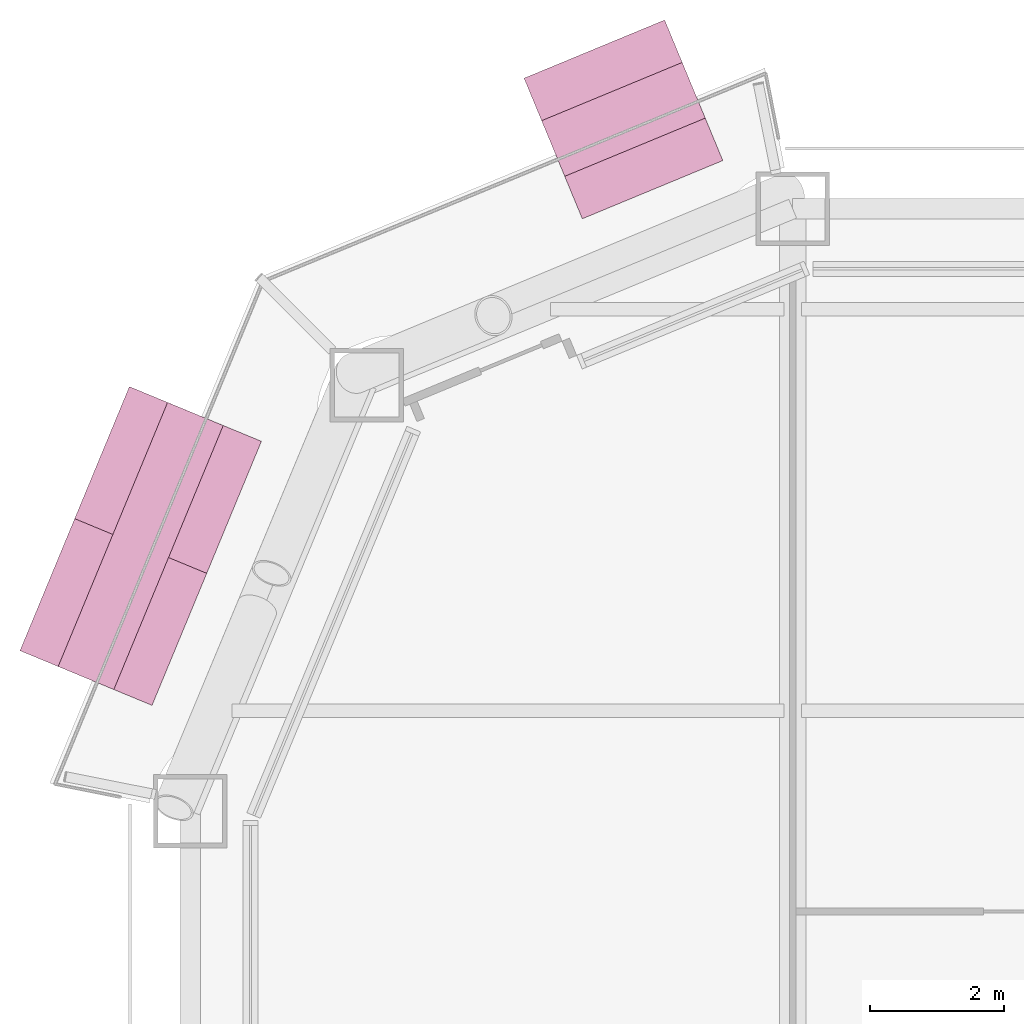
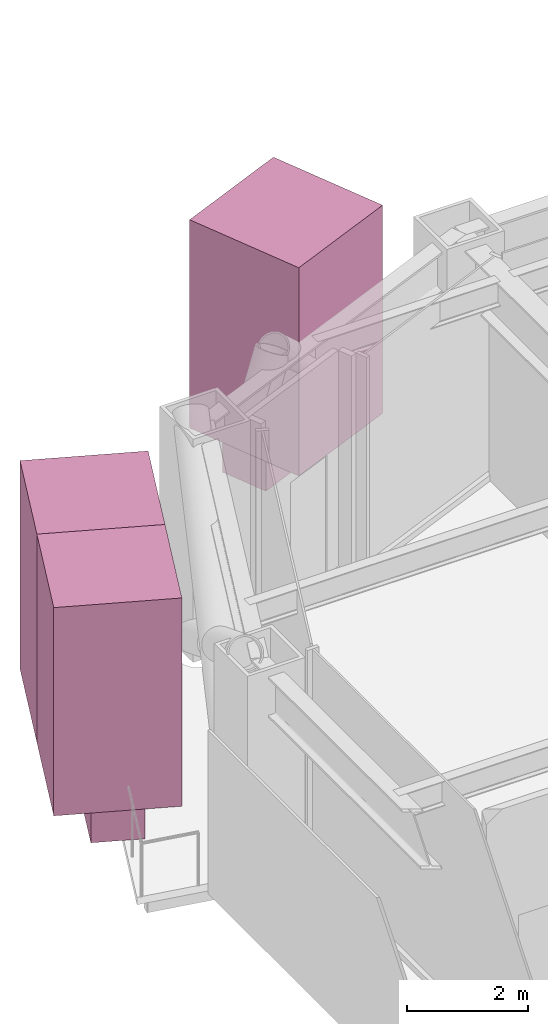
# One storey, part 29 of 29: 5 furnishings.
"""IFC4 building model written with IfcOpenShell, lengths in metres."""

import ifcopenshell
import ifcopenshell.guid

model = None  # the IFC model being written
_history = None  # IfcOwnerHistory: only IFC2X3 demands one
_inside = {}  # id of a spatial element -> (the spatial element, [elements in it])
_under = {}  # id of a project, library or spatial element -> (it, [spatial elements below it])
_declared = {}  # id of a project -> (the project, [libraries it declares])
_typed = {}  # id of a type object -> (the type object, [elements of that type])
_made_of = {}  # id of a material, layer set ... -> (it, [elements and type objects made of it])


def new_model(schema):
    """Start an empty IFC model of exactly this schema.

    Asked for "IFC4X3", IfcOpenShell would pick the latest addendum, in which some entities
    have other attributes; the version numbers below select the first issue.
    IFC2X3 requires an IfcOwnerHistory on every rooted entity: one is made here for all.
    """
    global model, _history
    if schema == "IFC4X3":
        model = ifcopenshell.file(schema_version=(4, 3, 0, 0))
    else:
        model = ifcopenshell.file(schema=schema)
    _inside.clear()
    _under.clear()
    _declared.clear()
    _typed.clear()
    _made_of.clear()
    _history = None
    if model.schema == "IFC2X3":
        org = make("IfcOrganization", Name="unknown")
        user = make(
            "IfcPersonAndOrganization",
            ThePerson=make("IfcPerson", FamilyName="unknown"),
            TheOrganization=org,
        )
        app = make(
            "IfcApplication",
            ApplicationDeveloper=org,
            Version="unknown",
            ApplicationFullName="unknown",
            ApplicationIdentifier="unknown",
        )
        _history = make(
            "IfcOwnerHistory",
            OwningUser=user,
            OwningApplication=app,
            ChangeAction="ADDED",
            CreationDate=0,
        )
    return model


def make(cls, **values):
    """One entity of the class cls with the attributes given. An attribute that is None is left unset."""
    return model.create_entity(
        cls, **{name: value for name, value in values.items() if value is not None}
    )


def rooted(cls, **values):
    """An entity with a GlobalId (a new one), such as an element, a storey or a relation."""
    return make(cls, GlobalId=ifcopenshell.guid.new(), OwnerHistory=_history, **values)


def si_unit(unit_type, name, prefix=None):
    """IfcSIUnit, for example si_unit("LENGTHUNIT", "METRE", prefix="MILLI")."""
    return make("IfcSIUnit", UnitType=unit_type, Prefix=prefix, Name=name)


def assignment(units):
    """IfcUnitAssignment: the units of a project."""
    return None if units is None else make("IfcUnitAssignment", Units=units)


def point(xyz):
    """IfcCartesianPoint."""
    return None if xyz is None else make("IfcCartesianPoint", Coordinates=xyz)


def direction(xyz):
    """IfcDirection."""
    return None if xyz is None else make("IfcDirection", DirectionRatios=xyz)


def frame(location, z_axis=None, x_axis=None):
    """IfcAxis2Placement3D, a coordinate frame: its origin and axes. An axis left out is left unset."""
    return make(
        "IfcAxis2Placement3D",
        Location=point(location),
        Axis=direction(z_axis),
        RefDirection=direction(x_axis),
    )


def frame_2d(location, x_axis=None):
    """IfcAxis2Placement2D, a coordinate frame in the plane: its origin and x axis."""
    return make(
        "IfcAxis2Placement2D", Location=point(location), RefDirection=direction(x_axis)
    )


def origin():
    """The frame at (0, 0, 0) with its axes left unset."""
    return frame((0.0, 0.0, 0.0))


def origin_2d():
    """The frame at (0, 0) in the plane with its x axis left unset."""
    return frame_2d((0.0, 0.0))


def place(relative_to, where):
    """IfcLocalPlacement: puts the frame where relative to a parent placement (None: the world)."""
    return make(
        "IfcLocalPlacement", PlacementRelTo=relative_to, RelativePlacement=where
    )


def context(
    kind, dimensions, precision=None, world=None, true_north=None, identifier=None
):
    """IfcGeometricRepresentationContext, for example the 3D "Model" context."""
    return make(
        "IfcGeometricRepresentationContext",
        ContextIdentifier=identifier,
        ContextType=kind,
        CoordinateSpaceDimension=dimensions,
        Precision=precision,
        WorldCoordinateSystem=world,
        TrueNorth=true_north,
    )


def subcontext(parent, identifier, kind, view, scale=None):
    """IfcGeometricRepresentationSubContext, for example "Body" below "Model"."""
    return make(
        "IfcGeometricRepresentationSubContext",
        ContextIdentifier=identifier,
        ContextType=kind,
        ParentContext=parent,
        TargetScale=scale,
        TargetView=view,
    )


def project(units=None, contexts=None):
    """IfcProject with its units and contexts."""
    return rooted(
        "IfcProject",
        Name="project",
        RepresentationContexts=contexts,
        UnitsInContext=assignment(units),
    )


def spatial(cls, under=None, at=None, **own):
    """A site, building, storey or space (cls), placed at a placement, below another one or the project."""
    s = rooted(cls, ObjectPlacement=at, **own)
    if under is not None:
        _under.setdefault(under.id(), (under, []))[1].append(s)
    return s


def profile(cls, at=None, kind="AREA", **sizes):
    """A parametric profile (cls). Its sizes go by their IFC names, for example OverallWidth=200.0."""
    return make(cls, ProfileType=kind, Position=at, **sizes)


def rectangle(**sizes):
    """IfcRectangleProfileDef."""
    return profile("IfcRectangleProfileDef", **sizes)


def extrude(swept, where, along, depth):
    """IfcExtrudedAreaSolid: the profile swept, set in the frame where, extruded along a direction by depth."""
    return make(
        "IfcExtrudedAreaSolid",
        SweptArea=swept,
        Position=where,
        ExtrudedDirection=direction(along),
        Depth=depth,
    )


def shape(context_of_items, identifier, shape_type, items):
    """IfcShapeRepresentation: the items that make up one representation, for example the "Body"."""
    return make(
        "IfcShapeRepresentation",
        ContextOfItems=context_of_items,
        RepresentationIdentifier=identifier,
        RepresentationType=shape_type,
        Items=items,
    )


def material(Name=None, Category=None):
    """IfcMaterial."""
    return make("IfcMaterial", Name=Name, Category=Category)


def made_of(thing, what):
    """Note that an element or type object is made of a material, layer set ...; save() writes the relation."""
    if what is not None:
        _made_of.setdefault(what.id(), (what, []))[1].append(thing)
    return thing


def type_object(cls, material=None, **own):
    """A type object (cls), such as IfcWallType, which elements share."""
    return made_of(rooted(cls, **own), material)


def element(
    cls,
    number,
    at=None,
    inside=None,
    cuts=None,
    type_object=None,
    material=None,
    context=None,
    identifier="Body",
    shape_type=None,
    held_by="IfcProductDefinitionShape",
    body=None,
    shapes=None,
    **own,
):
    """One element of the class cls, such as IfcWall. Its Tag is "e" and its number.

    at: its placement. inside: the storey or other place that contains it. cuts: it is an
    opening in that element (IfcRelVoidsElement). A single representation is given by context,
    identifier, shape_type and body (its items); several are given by shapes. held_by: the class
    of the entity that holds the representations. save() writes the other relations.
    """
    e = rooted(cls, Tag="e%d" % number, ObjectPlacement=at, **own)
    if body is not None:
        shapes = [shape(context, identifier, shape_type, body)]
    if shapes is not None:
        e.Representation = make(held_by, Representations=shapes)
    if inside is not None:
        _inside.setdefault(inside.id(), (inside, []))[1].append(e)
    if cuts is not None:
        rooted(
            "IfcRelVoidsElement", RelatingBuildingElement=cuts, RelatedOpeningElement=e
        )
    if type_object is not None:
        _typed.setdefault(type_object.id(), (type_object, []))[1].append(e)
    return made_of(e, material)


def aggregate(whole, parts):
    """IfcRelAggregates: a whole, such as a stair, and the parts it consists of."""
    return rooted("IfcRelAggregates", RelatingObject=whole, RelatedObjects=parts)


def save(model, path):
    """Write the relations noted so far, then the file.

    IfcRelAggregates (storeys below a building ...), IfcRelContainedInSpatialStructure (elements
    in a storey), IfcRelDefinesByType, IfcRelAssociatesMaterial and IfcRelDeclares: one each for
    every whole, place, type object, material and project.
    """
    for whole, parts in _under.values():
        aggregate(whole, parts)
    for where, things in _inside.values():
        rooted(
            "IfcRelContainedInSpatialStructure",
            RelatedElements=things,
            RelatingStructure=where,
        )
    for kind, things in _typed.values():
        rooted("IfcRelDefinesByType", RelatedObjects=things, RelatingType=kind)
    for what, things in _made_of.values():
        rooted("IfcRelAssociatesMaterial", RelatedObjects=things, RelatingMaterial=what)
    for by, libraries in _declared.values():
        rooted("IfcRelDeclares", RelatingContext=by, RelatedDefinitions=libraries)
    model.write(path)


model = new_model("IFC4")

# Units and contexts
model_context = context("Model", 3, precision=1e-05, world=origin(), true_north=direction((0.0, 1.0)))
body_context = subcontext(model_context, "Body", "Model", "MODEL_VIEW")
ifc_project = project(units=[si_unit("LENGTHUNIT", "METRE"), si_unit("AREAUNIT", "SQUARE_METRE"), si_unit("VOLUMEUNIT", "CUBIC_METRE"), si_unit("PLANEANGLEUNIT", "RADIAN"), si_unit("MASSUNIT", "GRAM", prefix="KILO")], contexts=[model_context])

# Site, building, storey
site_placement = place(None, origin())
site = spatial("IfcSite", under=ifc_project, at=site_placement, CompositionType="ELEMENT")
building_placement = place(site_placement, origin())
building = spatial("IfcBuilding", under=site, at=building_placement, Name="Siwar Civic Tower", CompositionType="ELEMENT")
storey_placement = place(building_placement, frame((0.0, 0.0, 49.199951171875)))
storey = spatial("IfcBuildingStorey", under=building, at=storey_placement, Name="L10", CompositionType="ELEMENT", Elevation=49.199951171875)

# Furnishings
ifc_material_1 = material(Name="Planting soil and foliage")
furnishing_element_type_1 = type_object("IfcFurnishingElementType", Name="ENV-PLANTER", material=ifc_material_1)
furnishing_1_placement = place(storey_placement, frame((-25.0283203125, 32.833984375, 0.0), z_axis=(0.0, 0.0, 1.0), x_axis=(-0.923879532511, -0.382683432365, 0.0)))
element("IfcFurnishingElement", 1, at=furnishing_1_placement, inside=storey, type_object=furnishing_element_type_1, Name="PLANTER NW 1", context=body_context, shape_type="SweptSolid", body=[
    extrude(rectangle(XDim=2.273193359375, YDim=0.89990234375, at=origin_2d()), origin(), (0.0, 0.0, 1.0), 0.60009765625),
])
furnishing_2_placement = place(storey_placement, frame((-32.240966796875, 26.460205078125, 0.0), z_axis=(0.0, 0.0, 1.0), x_axis=(-0.382683432365, -0.923879532511, 0.0)))
element("IfcFurnishingElement", 2, at=furnishing_2_placement, inside=storey, type_object=furnishing_element_type_1, Name="PLANTER NW 2", context=body_context, shape_type="SweptSolid", body=[
    extrude(rectangle(XDim=4.270751953125, YDim=0.89990234375, at=origin_2d()), origin(), (0.0, 0.0, 1.0), 0.60009765625),
])
ifc_material_2 = material(Name="Planting soil and foliage")
furnishing_element_type_2 = type_object("IfcFurnishingElementType", Name="ENV-TREE", material=ifc_material_2)
furnishing_3_placement = place(storey_placement, frame((-25.0283203125, 32.833984375, 0.60009765625), z_axis=(0.0, 0.0, 1.0), x_axis=(-0.923879532511, -0.382683432365, 0.0)))
element("IfcFurnishingElement", 3, at=furnishing_3_placement, inside=storey, type_object=furnishing_element_type_2, Name="PLANTER (TREE) NW 1.1", context=body_context, shape_type="SweptSolid", body=[
    extrude(rectangle(XDim=2.273193359375, YDim=2.273193359375, at=origin_2d()), origin(), (0.0, 0.0, 1.0), 4.199951171875),
])
for number, where, z_axis, x_axis, name in (
    (4, (-31.832275390625, 27.44677734375, 0.60009765625), (0.0, 0.0, 1.0), (-0.382683432365, -0.923879532511, 0.0), "PLANTER (TREE) NW 2.1"),
    (5, (-32.6494140625, 25.473876953125, 0.60009765625), (0.0, 0.0, 1.0), (-0.382683432365, -0.923879532511, 0.0), "PLANTER (TREE) NW 2.2"),
):
    element("IfcFurnishingElement", number, at=place(storey_placement, frame(where, z_axis=z_axis, x_axis=x_axis)), inside=storey, type_object=furnishing_element_type_2, Name=name, context=body_context, shape_type="SweptSolid", body=[
        extrude(rectangle(XDim=2.13525390625, YDim=2.13525390625, at=origin_2d()), origin(), (0.0, 0.0, 1.0), 4.199951171875),
    ])

save(model, "model.ifc")
